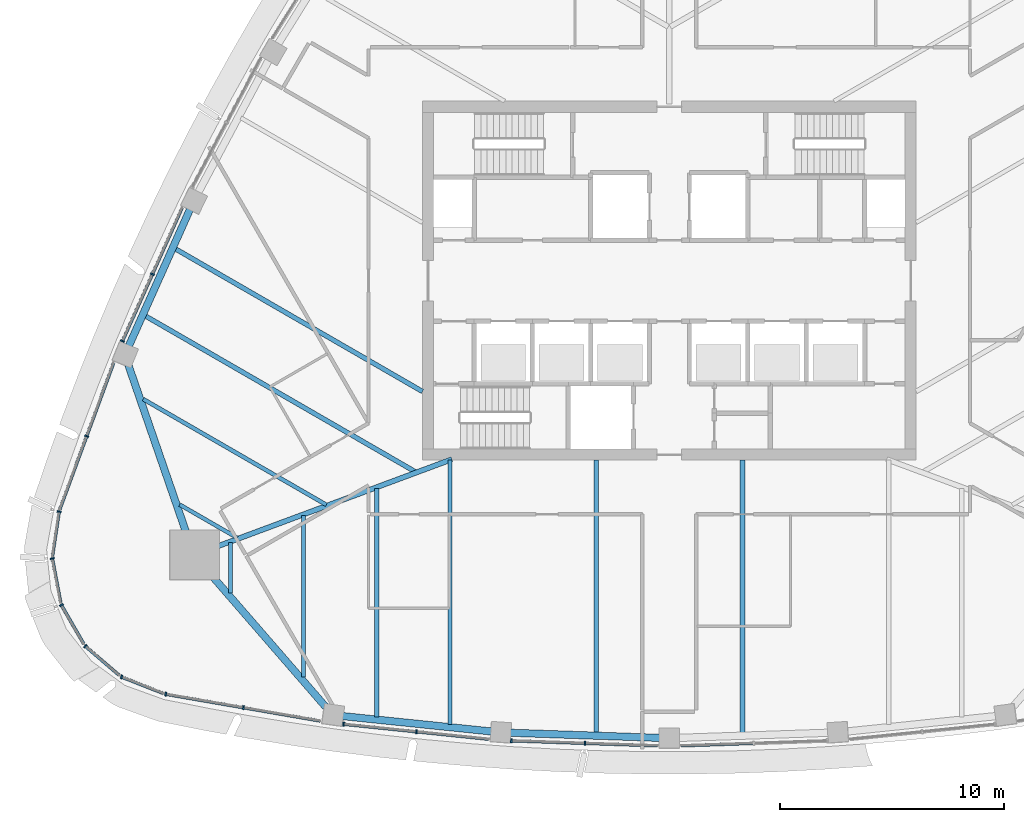
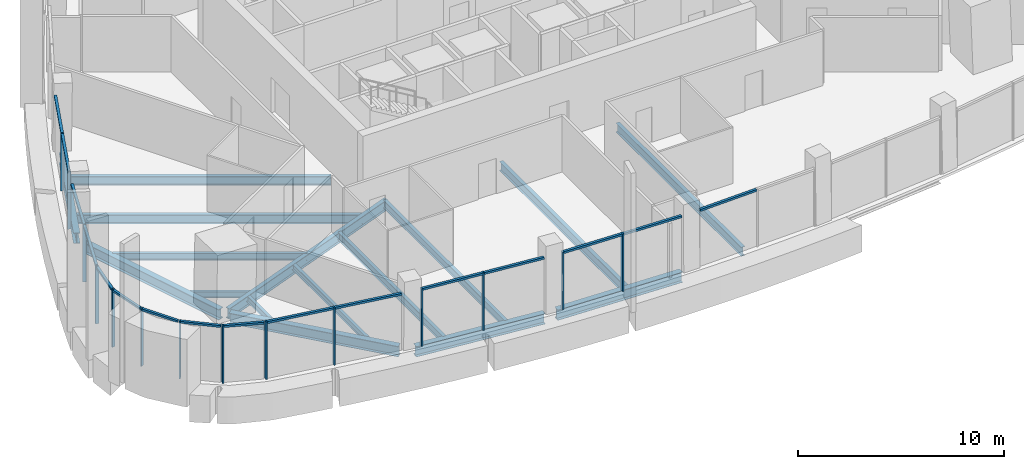
# One storey, part 2 of 16: 30 members, 16 beams, 11 elements without a shape of their own.
"""IFC4 building model written with IfcOpenShell, lengths in metres."""

from ifc_helpers import new_model, si_unit, direction, frame, origin, origin_2d, place, context, subcontext, project, spatial, rectangle, i_section, extrude, material, layer, layer_set, material_profile, profile_set, type_object, element, aggregate, save


model = new_model("IFC4")

# Units and contexts
model_context = context("Model", 3, precision=1e-05, world=origin(), true_north=direction((0.0, 1.0)))
body_context = subcontext(model_context, "Body", "Model", "MODEL_VIEW")
ifc_project = project(units=[si_unit("LENGTHUNIT", "METRE"), si_unit("AREAUNIT", "SQUARE_METRE"), si_unit("VOLUMEUNIT", "CUBIC_METRE"), si_unit("PLANEANGLEUNIT", "RADIAN"), si_unit("MASSUNIT", "GRAM", prefix="KILO")], contexts=[model_context])

# Site, building, storey
site_placement = place(None, origin())
site = spatial("IfcSite", under=ifc_project, at=site_placement, CompositionType="ELEMENT")
building_placement = place(site_placement, origin())
building = spatial("IfcBuilding", under=site, at=building_placement, Name="Sierra Prisma Convention Tower", CompositionType="ELEMENT")
storey_placement = place(building_placement, frame((0.0, 0.0, 271.0)))
storey = spatial("IfcBuildingStorey", under=building, at=storey_placement, Name="L61", CompositionType="ELEMENT", Elevation=271.0)

# Curtain wall, members
ifc_material_1 = material(Name="Aluminium and glass curtain wall", Category="aluminium")
ifc_layer = layer(ifc_material_1, 0.179931640625)
ifc_layer_set = layer_set([ifc_layer], Name="CW-1 Plain shaft curtain wall")
curtain_wall_type = type_object("IfcCurtainWallType", Name="CW-1 Plain shaft curtain wall", PredefinedType="NOTDEFINED", material=ifc_layer_set)
curtain_wall_1_placement = place(storey_placement, origin())
curtain_wall_1 = element("IfcCurtainWall", 1, at=curtain_wall_1_placement, inside=storey, type_object=curtain_wall_type, Name="CW-1 S1 L61", PredefinedType="NOTDEFINED")
ifc_material_2 = material(Name="Aluminium 6063-T6 bronze anodised", Category="aluminium")
ifc_material_profile_1 = material_profile(ifc_material_2, rectangle(XDim=0.179931640625, YDim=0.070068359375, at=origin_2d()), Name="ALU MULLION 70x180")
ifc_profile_set_1 = profile_set([ifc_material_profile_1], Name="Aluminium 6063-T6 bronze anodised")
member_type_1 = type_object("IfcMemberType", Name="CW mullion bronze", PredefinedType="MULLION", material=ifc_profile_set_1)
member_1_placement = place(storey_placement, frame((-22.435302734375, -18.421142578125, 0.0), z_axis=(0.0, 0.0, 1.0), x_axis=(0.170683207997, 0.985325957492, 0.0)))
member_1 = element("IfcMember", 2, at=member_1_placement, type_object=member_type_1, Name="CW-1 mullion S1.1", PredefinedType="MULLION", context=body_context, shape_type="SweptSolid", body=[
    extrude(rectangle(XDim=0.179931640625, YDim=0.070068359375, at=origin_2d()), origin(), (0.0, 0.0, 1.0), 3.39990234375),
])
member_2_placement = place(storey_placement, frame((-18.97607421875, -19.020263671875, 0.0), z_axis=(0.0, 0.0, 1.0), x_axis=(0.170683207997, 0.985325957492, 0.0)))
member_2 = element("IfcMember", 3, at=member_2_placement, type_object=member_type_1, Name="CW-1 mullion S1.2", PredefinedType="MULLION", context=body_context, shape_type="SweptSolid", body=[
    extrude(rectangle(XDim=0.179931640625, YDim=0.070068359375, at=origin_2d()), origin(), (0.0, 0.0, 1.0), 3.39990234375),
])

curtain_wall_2_placement = place(storey_placement, origin())
curtain_wall_2 = element("IfcCurtainWall", 4, at=curtain_wall_2_placement, inside=storey, type_object=curtain_wall_type, Name="CW-1 S2 L61", PredefinedType="NOTDEFINED")
member_3_placement = place(storey_placement, frame((-14.512939453125, -19.756591796875, 0.0), z_axis=(0.0, 0.0, 1.0), x_axis=(0.102732238011, 0.994709046542, 0.0)))
member_3 = element("IfcMember", 5, at=member_3_placement, type_object=member_type_1, Name="CW-1 mullion S2.1", PredefinedType="MULLION", context=body_context, shape_type="SweptSolid", body=[
    extrude(rectangle(XDim=0.179931640625, YDim=0.070068359375, at=origin_2d()), origin(), (0.0, 0.0, 1.0), 3.39990234375),
])
member_4_placement = place(storey_placement, frame((-11.26611328125, -20.092041015625, 0.0), z_axis=(0.0, 0.0, 1.0), x_axis=(0.102732238011, 0.994709046542, 0.0)))
member_4 = element("IfcMember", 6, at=member_4_placement, type_object=member_type_1, Name="CW-1 mullion S2.2", PredefinedType="MULLION", context=body_context, shape_type="SweptSolid", body=[
    extrude(rectangle(XDim=0.179931640625, YDim=0.070068359375, at=origin_2d()), origin(), (0.0, 0.0, 1.0), 3.39990234375),
])

curtain_wall_3_placement = place(storey_placement, origin())
curtain_wall_3 = element("IfcCurtainWall", 7, at=curtain_wall_3_placement, inside=storey, type_object=curtain_wall_type, Name="CW-1 S3 L61", PredefinedType="NOTDEFINED")
member_5_placement = place(storey_placement, frame((-7.040283203125, -20.494140625, 0.0), z_axis=(0.0, 0.0, 1.0), x_axis=(0.034297874149, 0.999411654839, 0.0)))
member_5 = element("IfcMember", 8, at=member_5_placement, type_object=member_type_1, Name="CW-1 mullion S3.1", PredefinedType="MULLION", context=body_context, shape_type="SweptSolid", body=[
    extrude(rectangle(XDim=0.179931640625, YDim=0.070068359375, at=origin_2d()), origin(), (0.0, 0.0, 1.0), 3.39990234375),
])
member_6_placement = place(storey_placement, frame((-3.762451171875, -20.606689453125, 0.0), z_axis=(0.0, 0.0, 1.0), x_axis=(0.034297874149, 0.999411654839, 0.0)))
member_6 = element("IfcMember", 9, at=member_6_placement, type_object=member_type_1, Name="CW-1 mullion S3.2", PredefinedType="MULLION", context=body_context, shape_type="SweptSolid", body=[
    extrude(rectangle(XDim=0.179931640625, YDim=0.070068359375, at=origin_2d()), origin(), (0.0, 0.0, 1.0), 3.39990234375),
])

curtain_wall_4_placement = place(storey_placement, origin())
curtain_wall_4 = element("IfcCurtainWall", 10, at=curtain_wall_4_placement, inside=storey, type_object=curtain_wall_type, Name="CW-1 NW5 L61", PredefinedType="NOTDEFINED")
member_7_placement = place(storey_placement, frame((-23.033203125, 0.2890625, 0.0), z_axis=(0.0, 0.0, 1.0), x_axis=(0.912809422686, -0.408385795366, 0.0)))
member_7 = element("IfcMember", 11, at=member_7_placement, type_object=member_type_1, Name="CW-1 mullion NW5.2", PredefinedType="MULLION", context=body_context, shape_type="SweptSolid", body=[
    extrude(rectangle(XDim=0.179931640625, YDim=0.070068359375, at=origin_2d()), origin(), (0.0, 0.0, 1.0), 3.39990234375),
])
member_8_placement = place(storey_placement, frame((-24.3662109375, -2.690185546875, 0.0), z_axis=(0.0, 0.0, 1.0), x_axis=(0.912809422686, -0.408385795366, 0.0)))
member_8 = element("IfcMember", 12, at=member_8_placement, type_object=member_type_1, Name="CW-1 mullion NW5.3", PredefinedType="MULLION", context=body_context, shape_type="SweptSolid", body=[
    extrude(rectangle(XDim=0.179931640625, YDim=0.070068359375, at=origin_2d()), origin(), (0.0, 0.0, 1.0), 3.39990234375),
])

# Curtain wall, member
curtain_wall_5_placement = place(storey_placement, origin())
curtain_wall_5 = element("IfcCurtainWall", 13, at=curtain_wall_5_placement, inside=storey, type_object=curtain_wall_type, Name="CW-1 NW6 L61", PredefinedType="NOTDEFINED")
member_9_placement = place(storey_placement, frame((-25.9599609375, -6.923583984375, 0.0), z_axis=(0.0, 0.0, 1.0), x_axis=(0.938658914195, -0.344846984621, 0.0)))
member_9 = element("IfcMember", 14, at=member_9_placement, type_object=member_type_1, Name="CW-1 mullion NW6.2", PredefinedType="MULLION", context=body_context, shape_type="SweptSolid", body=[
    extrude(rectangle(XDim=0.179931640625, YDim=0.070068359375, at=origin_2d()), origin(), (0.0, 0.0, 1.0), 3.39990234375),
])

curtain_wall_6_placement = place(storey_placement, origin())
curtain_wall_6 = element("IfcCurtainWall", 15, at=curtain_wall_6_placement, inside=storey, type_object=curtain_wall_type, Name="CW-1 SW1 L61", PredefinedType="NOTDEFINED")
member_10_placement = place(storey_placement, frame((-27.18798828125, -10.28662109375, 0.0), z_axis=(0.0, 0.0, 1.0), x_axis=(0.988846094091, -0.148940935275, 0.0)))
member_10 = element("IfcMember", 16, at=member_10_placement, type_object=member_type_1, Name="CW-1 mullion SW1.1", PredefinedType="MULLION", context=body_context, shape_type="SweptSolid", body=[
    extrude(rectangle(XDim=0.179931640625, YDim=0.070068359375, at=origin_2d()), origin(), (0.0, 0.0, 1.0), 3.39990234375),
])

curtain_wall_7_placement = place(storey_placement, origin())
curtain_wall_7 = element("IfcCurtainWall", 17, at=curtain_wall_7_placement, inside=storey, type_object=curtain_wall_type, Name="CW-1 SW2 L61", PredefinedType="NOTDEFINED")
member_11_placement = place(storey_placement, frame((-27.49169921875, -12.380126953125, 0.0), z_axis=(0.0, 0.0, 1.0), x_axis=(0.982556946329, 0.185961951001, 0.0)))
member_11 = element("IfcMember", 18, at=member_11_placement, type_object=member_type_1, Name="CW-1 mullion SW2.1", PredefinedType="MULLION", context=body_context, shape_type="SweptSolid", body=[
    extrude(rectangle(XDim=0.179931640625, YDim=0.070068359375, at=origin_2d()), origin(), (0.0, 0.0, 1.0), 3.39990234375),
])

curtain_wall_8_placement = place(storey_placement, origin())
curtain_wall_8 = element("IfcCurtainWall", 19, at=curtain_wall_8_placement, inside=storey, type_object=curtain_wall_type, Name="CW-1 SW3 L61", PredefinedType="NOTDEFINED")
member_12_placement = place(storey_placement, frame((-27.0869140625, -14.45654296875, 0.0), z_axis=(0.0, 0.0, 1.0), x_axis=(0.866025403784, 0.5, 0.0)))
member_12 = element("IfcMember", 20, at=member_12_placement, type_object=member_type_1, Name="CW-1 mullion SW3.1", PredefinedType="MULLION", context=body_context, shape_type="SweptSolid", body=[
    extrude(rectangle(XDim=0.179931640625, YDim=0.070068359375, at=origin_2d()), origin(), (0.0, 0.0, 1.0), 3.39990234375),
])

curtain_wall_9_placement = place(storey_placement, origin())
curtain_wall_9 = element("IfcCurtainWall", 21, at=curtain_wall_9_placement, inside=storey, type_object=curtain_wall_type, Name="CW-1 SW4 L61", PredefinedType="NOTDEFINED")
member_13_placement = place(storey_placement, frame((-26.019287109375, -16.282958984375, 0.0), z_axis=(0.0, 0.0, 1.0), x_axis=(0.652326246869, 0.757938300686, 0.0)))
member_13 = element("IfcMember", 22, at=member_13_placement, type_object=member_type_1, Name="CW-1 mullion SW4.1", PredefinedType="MULLION", context=body_context, shape_type="SweptSolid", body=[
    extrude(rectangle(XDim=0.179931640625, YDim=0.070068359375, at=origin_2d()), origin(), (0.0, 0.0, 1.0), 3.39990234375),
])

curtain_wall_10_placement = place(storey_placement, origin())
curtain_wall_10 = element("IfcCurtainWall", 23, at=curtain_wall_10_placement, inside=storey, type_object=curtain_wall_type, Name="CW-1 SW5 L61", PredefinedType="NOTDEFINED")
member_14_placement = place(storey_placement, frame((-24.408203125, -17.654052734375, 0.0), z_axis=(0.0, 0.0, 1.0), x_axis=(0.365436413434, 0.930836305554, 0.0)))
member_14 = element("IfcMember", 24, at=member_14_placement, type_object=member_type_1, Name="CW-1 mullion SW5.1", PredefinedType="MULLION", context=body_context, shape_type="SweptSolid", body=[
    extrude(rectangle(XDim=0.179931640625, YDim=0.070068359375, at=origin_2d()), origin(), (0.0, 0.0, 1.0), 3.39990234375),
])

# Member
ifc_material_3 = material(Name="Aluminium 6063-T6 bronze anodised", Category="aluminium")
ifc_material_profile_2 = material_profile(ifc_material_3, rectangle(XDim=0.139892578125, YDim=0.1201171875, at=origin_2d()), Name="ALU TRANSOM 120x140")
ifc_profile_set_2 = profile_set([ifc_material_profile_2], Name="Aluminium 6063-T6 bronze anodised")
member_type_2 = type_object("IfcMemberType", Name="CW transom bronze", PredefinedType="USERDEFINED", material=ifc_profile_set_2)
member_15_placement = place(storey_placement, frame((-22.40087890625, -18.427001953125, 3.340087890625), z_axis=(0.985320912526, -0.170712329195, 0.0), x_axis=(0.170712329195, 0.985320912526, 0.0)))
member_15 = element("IfcMember", 25, at=member_15_placement, type_object=member_type_2, Name="CW-1 transom S1.1", ObjectType="TRANSOM", PredefinedType="USERDEFINED", context=body_context, shape_type="SweptSolid", body=[
    extrude(rectangle(XDim=0.139892578125, YDim=0.1201171875, at=origin_2d()), origin(), (0.0, 0.0, 1.0), 3.44091796875),
])

member_16_placement = place(storey_placement, frame((-18.941650390625, -19.026123046875, 3.340087890625), z_axis=(0.985320912526, -0.170712329195, 0.0), x_axis=(0.170712329195, 0.985320912526, 0.0)))
member_16 = element("IfcMember", 26, at=member_16_placement, type_object=member_type_2, Name="CW-1 transom S1.2", ObjectType="TRANSOM", PredefinedType="USERDEFINED", context=body_context, shape_type="SweptSolid", body=[
    extrude(rectangle(XDim=0.139892578125, YDim=0.1201171875, at=origin_2d()), origin(), (0.0, 0.0, 1.0), 3.44091796875),
])

aggregate(curtain_wall_1, [member_1, member_2, member_15, member_16])

member_17_placement = place(storey_placement, frame((-14.47802734375, -19.76025390625, 3.340087890625), z_axis=(0.994708776832, -0.102734849463, 0.0), x_axis=(0.102734849463, 0.994708776832, 0.0)))
member_17 = element("IfcMember", 27, at=member_17_placement, type_object=member_type_2, Name="CW-1 transom S2.1", ObjectType="TRANSOM", PredefinedType="USERDEFINED", context=body_context, shape_type="SweptSolid", body=[
    extrude(rectangle(XDim=0.139892578125, YDim=0.1201171875, at=origin_2d()), origin(), (0.0, 0.0, 1.0), 3.19384765625),
])

member_18_placement = place(storey_placement, frame((-11.2314453125, -20.095458984375, 3.340087890625), z_axis=(0.994708776832, -0.102734849463, 0.0), x_axis=(0.102734849463, 0.994708776832, 0.0)))
member_18 = element("IfcMember", 28, at=member_18_placement, type_object=member_type_2, Name="CW-1 transom S2.2", ObjectType="TRANSOM", PredefinedType="USERDEFINED", context=body_context, shape_type="SweptSolid", body=[
    extrude(rectangle(XDim=0.139892578125, YDim=0.1201171875, at=origin_2d()), origin(), (0.0, 0.0, 1.0), 3.19384765625),
])

aggregate(curtain_wall_2, [member_3, member_4, member_17, member_18])

member_19_placement = place(storey_placement, frame((-7.00537109375, -20.495361328125, 3.340087890625), z_axis=(0.999411407265, -0.034305087501, 0.0), x_axis=(0.034305087501, 0.999411407265, 0.0)))
member_19 = element("IfcMember", 29, at=member_19_placement, type_object=member_type_2, Name="CW-1 transom S3.1", ObjectType="TRANSOM", PredefinedType="USERDEFINED", context=body_context, shape_type="SweptSolid", body=[
    extrude(rectangle(XDim=0.139892578125, YDim=0.1201171875, at=origin_2d()), origin(), (0.0, 0.0, 1.0), 3.209716796875),
])

member_20_placement = place(storey_placement, frame((-3.7275390625, -20.60791015625, 3.340087890625), z_axis=(0.999414012247, -0.034229112224, 0.0), x_axis=(0.034229112224, 0.999414012247, 0.0)))
member_20 = element("IfcMember", 30, at=member_20_placement, type_object=member_type_2, Name="CW-1 transom S3.2", ObjectType="TRANSOM", PredefinedType="USERDEFINED", context=body_context, shape_type="SweptSolid", body=[
    extrude(rectangle(XDim=0.139892578125, YDim=0.1201171875, at=origin_2d()), origin(), (0.0, 0.0, 1.0), 3.209716796875),
])

aggregate(curtain_wall_3, [member_5, member_6, member_19, member_20])

# Curtain wall, member
curtain_wall_11_placement = place(storey_placement, origin())
curtain_wall_11 = element("IfcCurtainWall", 31, at=curtain_wall_11_placement, inside=storey, type_object=curtain_wall_type, Name="CW-1 S4 L61", PredefinedType="NOTDEFINED")
member_21_placement = place(storey_placement, frame((0.519775390625, -20.7177734375, 3.340087890625), z_axis=(0.999414012247, 0.034229112224, 0.0), x_axis=(-0.034229112224, 0.999414012247, 0.0)))
member_21 = element("IfcMember", 32, at=member_21_placement, type_object=member_type_2, Name="CW-1 transom S4.1", ObjectType="TRANSOM", PredefinedType="USERDEFINED", context=body_context, shape_type="SweptSolid", body=[
    extrude(rectangle(XDim=0.139892578125, YDim=0.1201171875, at=origin_2d()), origin(), (0.0, 0.0, 1.0), 3.209716796875),
])
aggregate(curtain_wall_11, [member_21])

# Member
member_22_placement = place(storey_placement, frame((-21.714599609375, 3.236572265625, 3.340087890625), z_axis=(-0.408399580642, -0.912803255106, 0.0), x_axis=(0.912803255106, -0.408399580642, 0.0)))
member_22 = element("IfcMember", 33, at=member_22_placement, type_object=member_type_2, Name="CW-1 transom NW5.1", ObjectType="TRANSOM", PredefinedType="USERDEFINED", context=body_context, shape_type="SweptSolid", body=[
    extrude(rectangle(XDim=0.139892578125, YDim=0.1201171875, at=origin_2d()), origin(), (0.0, 0.0, 1.0), 3.194091796875),
])

member_23_placement = place(storey_placement, frame((-23.047607421875, 0.257080078125, 3.340087890625), z_axis=(-0.408364383845, -0.912819001778, 0.0), x_axis=(0.912819001778, -0.408364383845, 0.0)))
member_23 = element("IfcMember", 34, at=member_23_placement, type_object=member_type_2, Name="CW-1 transom NW5.2", ObjectType="TRANSOM", PredefinedType="USERDEFINED", context=body_context, shape_type="SweptSolid", body=[
    extrude(rectangle(XDim=0.139892578125, YDim=0.1201171875, at=origin_2d()), origin(), (0.0, 0.0, 1.0), 3.193603515625),
])

aggregate(curtain_wall_4, [member_7, member_8, member_22, member_23])

member_24_placement = place(storey_placement, frame((-24.761474609375, -3.6611328125, 3.340087890625), z_axis=(-0.344840428504, -0.938661322773, 0.0), x_axis=(0.938661322773, -0.344840428504, 0.0)))
member_24 = element("IfcMember", 35, at=member_24_placement, type_object=member_type_2, Name="CW-1 transom NW6.1", ObjectType="TRANSOM", PredefinedType="USERDEFINED", context=body_context, shape_type="SweptSolid", body=[
    extrude(rectangle(XDim=0.139892578125, YDim=0.1201171875, at=origin_2d()), origin(), (0.0, 0.0, 1.0), 3.440673828125),
])

member_25_placement = place(storey_placement, frame((-25.97216796875, -6.95654296875, 3.340087890625), z_axis=(-0.344840428504, -0.938661322773, 0.0), x_axis=(0.938661322773, -0.344840428504, 0.0)))
member_25 = element("IfcMember", 36, at=member_25_placement, type_object=member_type_2, Name="CW-1 transom NW6.2", ObjectType="TRANSOM", PredefinedType="USERDEFINED", context=body_context, shape_type="SweptSolid", body=[
    extrude(rectangle(XDim=0.139892578125, YDim=0.1201171875, at=origin_2d()), origin(), (0.0, 0.0, 1.0), 3.440673828125),
])

aggregate(curtain_wall_5, [member_9, member_24, member_25])

member_26_placement = place(storey_placement, frame((-27.193359375, -10.321044921875, 3.340087890625), z_axis=(-0.148883742379, -0.988854706848, 0.0), x_axis=(0.988854706848, -0.148883742379, 0.0)))
member_26 = element("IfcMember", 37, at=member_26_placement, type_object=member_type_2, Name="CW-1 transom SW1.1", ObjectType="TRANSOM", PredefinedType="USERDEFINED", context=body_context, shape_type="SweptSolid", body=[
    extrude(rectangle(XDim=0.139892578125, YDim=0.1201171875, at=origin_2d()), origin(), (0.0, 0.0, 1.0), 1.9775390625),
])

aggregate(curtain_wall_6, [member_10, member_26])

member_27_placement = place(storey_placement, frame((-27.485107421875, -12.41455078125, 3.340087890625), z_axis=(0.185943214546, -0.982560492267, 0.0), x_axis=(0.982560492267, 0.185943214546, 0.0)))
member_27 = element("IfcMember", 38, at=member_27_placement, type_object=member_type_2, Name="CW-1 transom SW2.1", ObjectType="TRANSOM", PredefinedType="USERDEFINED", context=body_context, shape_type="SweptSolid", body=[
    extrude(rectangle(XDim=0.139892578125, YDim=0.1201171875, at=origin_2d()), origin(), (0.0, 0.0, 1.0), 1.977294921875),
])

aggregate(curtain_wall_7, [member_11, member_27])

member_28_placement = place(storey_placement, frame((-27.0693359375, -14.48681640625, 3.340087890625), z_axis=(0.499897016473, -0.866084853188, 0.0), x_axis=(0.866084853188, 0.499897016473, 0.0)))
member_28 = element("IfcMember", 39, at=member_28_placement, type_object=member_type_2, Name="CW-1 transom SW3.1", ObjectType="TRANSOM", PredefinedType="USERDEFINED", context=body_context, shape_type="SweptSolid", body=[
    extrude(rectangle(XDim=0.139892578125, YDim=0.1201171875, at=origin_2d()), origin(), (0.0, 0.0, 1.0), 1.9775390625),
])

aggregate(curtain_wall_8, [member_12, member_28])

member_29_placement = place(storey_placement, frame((-25.99267578125, -16.3056640625, 3.340087890625), z_axis=(0.757912919293, -0.652355736365, 0.0), x_axis=(0.652355736365, 0.757912919293, 0.0)))
member_29 = element("IfcMember", 40, at=member_29_placement, type_object=member_type_2, Name="CW-1 transom SW4.1", ObjectType="TRANSOM", PredefinedType="USERDEFINED", context=body_context, shape_type="SweptSolid", body=[
    extrude(rectangle(XDim=0.139892578125, YDim=0.1201171875, at=origin_2d()), origin(), (0.0, 0.0, 1.0), 1.9775390625),
])

aggregate(curtain_wall_9, [member_13, member_29])

member_30_placement = place(storey_placement, frame((-24.375732421875, -17.666748046875, 3.340087890625), z_axis=(0.930841497817, -0.365423187472, 0.0), x_axis=(0.365423187472, 0.930841497817, 0.0)))
member_30 = element("IfcMember", 41, at=member_30_placement, type_object=member_type_2, Name="CW-1 transom SW5.1", ObjectType="TRANSOM", PredefinedType="USERDEFINED", context=body_context, shape_type="SweptSolid", body=[
    extrude(rectangle(XDim=0.139892578125, YDim=0.1201171875, at=origin_2d()), origin(), (0.0, 0.0, 1.0), 1.9775390625),
])

aggregate(curtain_wall_10, [member_14, member_30])

# Beams
ifc_material_4 = material(Name="Steel ASTM A992 Gr 50", Category="steel")
ifc_material_profile_3 = material_profile(ifc_material_4, i_section(OverallWidth=0.172119140625, OverallDepth=0.35791015625, WebThickness=0.0078125, FlangeThickness=0.01318359375, at=origin_2d()), Name="W360x57")
ifc_profile_set_3 = profile_set([ifc_material_profile_3], Name="Steel ASTM A992 Gr 50")
beam_type_1 = type_object("IfcBeamType", Name="Floor joist W360x57", PredefinedType="JOIST", material=ifc_profile_set_3)
beam_1_placement = place(storey_placement, frame((-19.548828125, -13.90625, -0.3291015625), z_axis=(0.0, 1.0, 0.0), x_axis=(-1.0, 0.0, 0.0)))
element("IfcBeam", 42, at=beam_1_placement, inside=storey, type_object=beam_type_1, Name="Floor joist L61 S01", PredefinedType="JOIST", context=body_context, shape_type="SweptSolid", body=[
    extrude(i_section(OverallWidth=0.172119140625, OverallDepth=0.35791015625, WebThickness=0.0078125, FlangeThickness=0.01318359375, at=origin_2d()), origin(), (0.0, 0.0, 1.0), 2.2353515625),
])
beam_2_placement = place(storey_placement, frame((-16.290771484375, -17.66015625, -0.3291015625), z_axis=(0.0, 1.0, 0.0), x_axis=(-1.0, 0.0, 0.0)))
element("IfcBeam", 43, at=beam_2_placement, inside=storey, type_object=beam_type_1, Name="Floor joist L61 S02", PredefinedType="JOIST", context=body_context, shape_type="SweptSolid", body=[
    extrude(i_section(OverallWidth=0.172119140625, OverallDepth=0.35791015625, WebThickness=0.0078125, FlangeThickness=0.01318359375, at=origin_2d()), origin(), (0.0, 0.0, 1.0), 7.19970703125),
])
beam_3_placement = place(storey_placement, frame((-21.8173828125, -9.976806640625, -0.3291015625), z_axis=(0.866037643702, -0.499978799242, 0.0), x_axis=(0.499978799242, 0.866037643702, 0.0)))
element("IfcBeam", 44, at=beam_3_placement, inside=storey, type_object=beam_type_1, Name="Floor joist L61 NW13", PredefinedType="JOIST", context=body_context, shape_type="SweptSolid", body=[
    extrude(i_section(OverallWidth=0.172119140625, OverallDepth=0.35791015625, WebThickness=0.0078125, FlangeThickness=0.01318359375, at=origin_2d()), origin(), (0.0, 0.0, 1.0), 2.968017578125),
])
ifc_material_5 = material(Name="Steel ASTM A992 Gr 50", Category="steel")
ifc_material_profile_4 = material_profile(ifc_material_5, i_section(OverallWidth=0.177978515625, OverallDepth=0.406982421875, WebThickness=0.0078125, FlangeThickness=0.0126953125, at=origin_2d()), Name="W410x60")
ifc_profile_set_4 = profile_set([ifc_material_profile_4], Name="Steel ASTM A992 Gr 50")
beam_type_2 = type_object("IfcBeamType", Name="Floor joist W410x60", PredefinedType="JOIST", material=ifc_profile_set_4)
beam_4_placement = place(storey_placement, frame((-23.439453125, -5.278076171875, -0.353515625), z_axis=(0.86603019839, -0.499991695407, 0.0), x_axis=(0.499991695407, 0.86603019839, 0.0)))
element("IfcBeam", 45, at=beam_4_placement, inside=storey, type_object=beam_type_2, Name="Floor joist L61 NW12", PredefinedType="JOIST", context=body_context, shape_type="SweptSolid", body=[
    extrude(i_section(OverallWidth=0.177978515625, OverallDepth=0.406982421875, WebThickness=0.0078125, FlangeThickness=0.0126953125, at=origin_2d()), origin(), (0.0, 0.0, 1.0), 9.419189453125),
])
ifc_material_6 = material(Name="Steel ASTM A992 Gr 50", Category="steel")
ifc_material_profile_5 = material_profile(ifc_material_6, i_section(OverallWidth=0.18994140625, OverallDepth=0.45703125, WebThickness=0.009033203125, FlangeThickness=0.014404296875, at=origin_2d()), Name="W460x74")
ifc_profile_set_5 = profile_set([ifc_material_profile_5], Name="Steel ASTM A992 Gr 50")
beam_type_3 = type_object("IfcBeamType", Name="Floor joist W460x74", PredefinedType="JOIST", material=ifc_profile_set_5)
beam_5_placement = place(storey_placement, frame((-13.032470703125, -19.444580078125, -0.37841796875), z_axis=(0.0, 1.0, 0.0), x_axis=(-1.0, 0.0, 0.0)))
element("IfcBeam", 46, at=beam_5_placement, inside=storey, type_object=beam_type_3, Name="Floor joist L61 S03", PredefinedType="JOIST", context=body_context, shape_type="SweptSolid", body=[
    extrude(i_section(OverallWidth=0.18994140625, OverallDepth=0.45703125, WebThickness=0.009033203125, FlangeThickness=0.014404296875, at=origin_2d()), origin(), (0.0, 0.0, 1.0), 10.194580078125),
])
beam_6_placement = place(storey_placement, frame((-9.7744140625, -19.781005859375, -0.37841796875), z_axis=(0.0, 1.0, 0.0), x_axis=(-1.0, 0.0, 0.0)))
element("IfcBeam", 47, at=beam_6_placement, inside=storey, type_object=beam_type_3, Name="Floor joist L61 S04", PredefinedType="JOIST", context=body_context, shape_type="SweptSolid", body=[
    extrude(i_section(OverallWidth=0.18994140625, OverallDepth=0.45703125, WebThickness=0.009033203125, FlangeThickness=0.014404296875, at=origin_2d()), origin(), (0.0, 0.0, 1.0), 11.781005859375),
])
ifc_material_7 = material(Name="Steel ASTM A992 Gr 50", Category="steel")
ifc_material_profile_6 = material_profile(ifc_material_7, i_section(OverallWidth=0.208984375, OverallDepth=0.532958984375, WebThickness=0.01025390625, FlangeThickness=0.015625, at=origin_2d()), Name="W530x92")
ifc_profile_set_6 = profile_set([ifc_material_profile_6], Name="Steel ASTM A992 Gr 50")
beam_type_4 = type_object("IfcBeamType", Name="Floor joist W530x92", PredefinedType="JOIST", material=ifc_profile_set_6)
for number, where, z_axis, x_axis, name in (
    (48, (-3.258056640625, -20.161376953125, -0.41650390625), (0.0, 1.0, 0.0), (-1.0, 0.0, 0.0), "Floor joist L61 S06"),
    (49, (3.258056640625, -20.161376953125, -0.41650390625), (0.0, 1.0, 0.0), (-1.0, 0.0, 0.0), "Floor joist L61 S08"),
):
    element("IfcBeam", number, at=place(storey_placement, frame(where, z_axis=z_axis, x_axis=x_axis)), inside=storey, type_object=beam_type_4, Name=name, PredefinedType="JOIST", context=body_context, shape_type="SweptSolid", body=[
        extrude(i_section(OverallWidth=0.208984375, OverallDepth=0.532958984375, WebThickness=0.01025390625, FlangeThickness=0.015625, at=origin_2d()), origin(), (0.0, 0.0, 1.0), 12.161376953125),
    ])
beam_7_placement = place(storey_placement, frame((-22.01806640625, 1.425537109375, -0.41650390625), z_axis=(0.866032197868, -0.499988232117, 0.0), x_axis=(0.499988232117, 0.866032197868, 0.0)))
element("IfcBeam", 50, at=beam_7_placement, inside=storey, type_object=beam_type_4, Name="Floor joist L61 NW10", PredefinedType="JOIST", context=body_context, shape_type="SweptSolid", body=[
    extrude(i_section(OverallWidth=0.208984375, OverallDepth=0.532958984375, WebThickness=0.01025390625, FlangeThickness=0.015625, at=origin_2d()), origin(), (0.0, 0.0, 1.0), 12.722412109375),
])
beam_8_placement = place(storey_placement, frame((-23.355712890625, -1.564208984375, -0.41650390625), z_axis=(0.866022091174, -0.500005737566, 0.0), x_axis=(0.500005737566, 0.866022091174, 0.0)))
element("IfcBeam", 51, at=beam_8_placement, inside=storey, type_object=beam_type_4, Name="Floor joist L61 NW11", PredefinedType="JOIST", context=body_context, shape_type="SweptSolid", body=[
    extrude(i_section(OverallWidth=0.208984375, OverallDepth=0.532958984375, WebThickness=0.01025390625, FlangeThickness=0.015625, at=origin_2d()), origin(), (0.0, 0.0, 1.0), 13.900634765625),
])
ifc_material_8 = material(Name="Steel ASTM A992 Gr 50", Category="steel")
ifc_material_profile_7 = material_profile(ifc_material_8, i_section(OverallWidth=0.22998046875, OverallDepth=0.616943359375, WebThickness=0.01318359375, FlangeThickness=0.022216796875, at=origin_2d()), Name="W610x140")
ifc_profile_set_7 = profile_set([ifc_material_profile_7], Name="Steel ASTM A992 Gr 50")
beam_type_5 = type_object("IfcBeamType", Name="Radial girder W610x140", PredefinedType="BEAM", material=ifc_profile_set_7)
beam_9_placement = place(storey_placement, frame((-20.9580078125, -12.145263671875, -0.45849609375), z_axis=(0.937402924817, 0.348246689208, 0.0), x_axis=(-0.348246689208, 0.937402924817, 0.0)))
element("IfcBeam", 52, at=beam_9_placement, inside=storey, type_object=beam_type_5, Name="Radial girder L61 SW", PredefinedType="BEAM", context=body_context, shape_type="SweptSolid", body=[
    extrude(i_section(OverallWidth=0.22998046875, OverallDepth=0.616943359375, WebThickness=0.01318359375, FlangeThickness=0.022216796875, at=origin_2d()), origin(), (0.0, 0.0, 1.0), 12.023193359375),
])
ifc_material_9 = material(Name="Steel ASTM A992 Gr 50", Category="steel")
ifc_material_profile_8 = material_profile(ifc_material_9, i_section(OverallWidth=0.324951171875, OverallDepth=0.615966796875, WebThickness=0.013916015625, FlangeThickness=0.021484375, at=origin_2d()), Name="W610x174")
ifc_profile_set_8 = profile_set([ifc_material_profile_8], Name="Steel ASTM A992 Gr 50")
beam_type_6 = type_object("IfcBeamType", Name="Spandrel beam W610x174", PredefinedType="BEAM", material=ifc_profile_set_8)
beam_10_placement = place(storey_placement, frame((-20.987060546875, -12.447021484375, -0.4580078125), z_axis=(0.65547498116, -0.755216888763, 0.0), x_axis=(0.755216888763, 0.65547498116, 0.0)))
element("IfcBeam", 53, at=beam_10_placement, inside=storey, type_object=beam_type_6, Name="Spandrel L61-01", PredefinedType="BEAM", context=body_context, shape_type="SweptSolid", body=[
    extrude(i_section(OverallWidth=0.324951171875, OverallDepth=0.615966796875, WebThickness=0.013916015625, FlangeThickness=0.021484375, at=origin_2d()), origin(), (0.0, 0.0, 1.0), 8.669921875),
])
for number, where, z_axis, x_axis, name in (
    (54, (-14.66259765625, -19.3896484375, -0.4580078125), (0.994710500987, -0.102718154318, 0.0), (0.102718154318, 0.994710500987, 0.0), "Spandrel L61-02"),
    (55, (-7.18310546875, -20.13916015625, -0.4580078125), (0.999412030776, -0.034286917907, 0.0), (0.034286917907, 0.999412030776, 0.0), "Spandrel L61-03"),
    (56, (-21.32275390625, 3.255859375, -0.4580078125), (-0.408376989796, -0.912813362197, 0.0), (0.912813362197, -0.408376989796, 0.0), "Spandrel L61-17"),
):
    element("IfcBeam", number, at=place(storey_placement, frame(where, z_axis=z_axis, x_axis=x_axis)), inside=storey, type_object=beam_type_6, Name=name, PredefinedType="BEAM", context=body_context, shape_type="SweptSolid", body=[
        extrude(i_section(OverallWidth=0.324951171875, OverallDepth=0.615966796875, WebThickness=0.013916015625, FlangeThickness=0.021484375, at=origin_2d()), origin(), (0.0, 0.0, 1.0), 6.857177734375),
    ])
beam_11_placement = place(storey_placement, frame((-24.10205078125, -3.756591796875, -0.4580078125), z_axis=(0.326313062456, -0.945261754897, 0.0), x_axis=(0.945261754897, 0.326313062456, 0.0)))
element("IfcBeam", 57, at=beam_11_placement, inside=storey, type_object=beam_type_6, Name="Spandrel L61-18", PredefinedType="BEAM", context=body_context, shape_type="SweptSolid", body=[
    extrude(i_section(OverallWidth=0.324951171875, OverallDepth=0.615966796875, WebThickness=0.013916015625, FlangeThickness=0.021484375, at=origin_2d()), origin(), (0.0, 0.0, 1.0), 8.728271484375),
])

save(model, "model.ifc")
